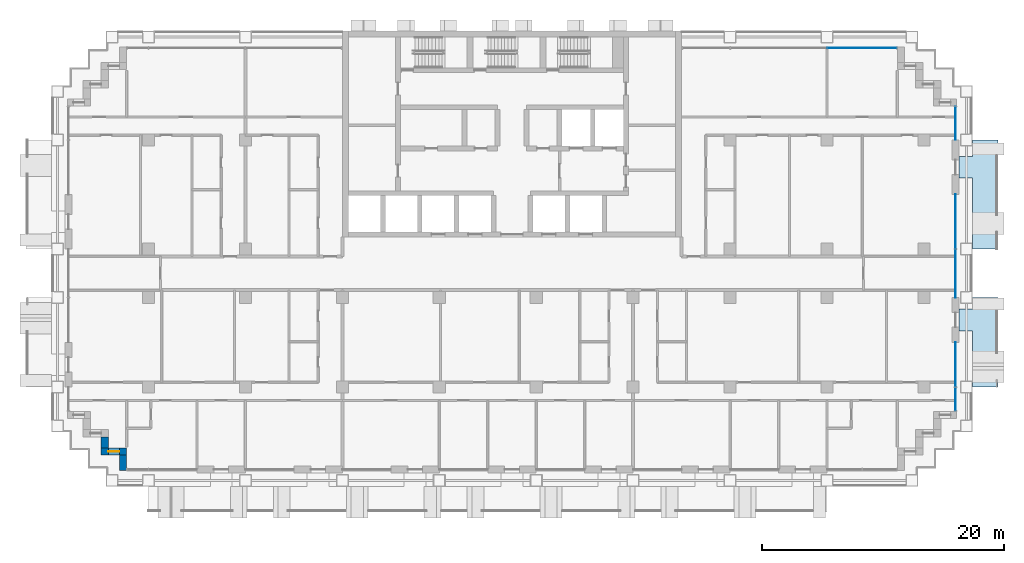
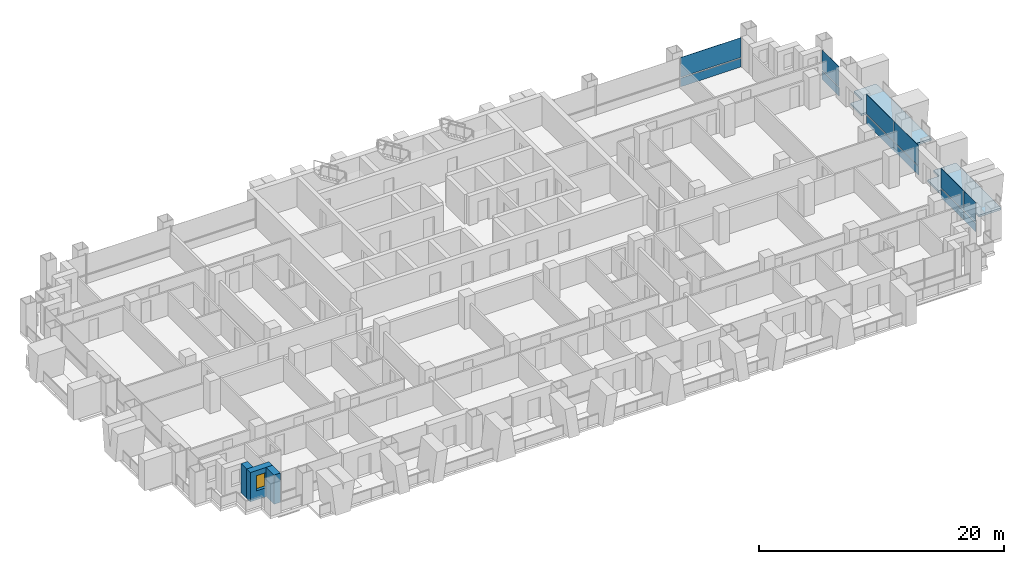
# One storey, part 8 of 18: 12 plates, 3 walls, 2 slabs, 1 window, 1 opening, 4 elements without a shape of their own.
"""IFC4 building model written with IfcOpenShell, lengths in metres."""

from ifc_helpers import new_model, si_unit, direction, frame, frame_2d, origin, origin_2d, place, context, subcontext, project, spatial, polyline, rectangle, outline, extrude, material, layer, layer_set, type_object, element, fill, aggregate, save


model = new_model("IFC4")

# Units and contexts
model_context = context("Model", 3, precision=1e-05, world=origin(), true_north=direction((0.0, 1.0)))
body_context = subcontext(model_context, "Body", "Model", "MODEL_VIEW")
ifc_project = project(units=[si_unit("LENGTHUNIT", "METRE"), si_unit("AREAUNIT", "SQUARE_METRE"), si_unit("VOLUMEUNIT", "CUBIC_METRE"), si_unit("PLANEANGLEUNIT", "RADIAN"), si_unit("MASSUNIT", "GRAM", prefix="KILO")], contexts=[model_context])

# Site, building, storey
site_placement = place(None, origin())
site = spatial("IfcSite", under=ifc_project, at=site_placement, CompositionType="ELEMENT")
building_placement = place(site_placement, origin())
building = spatial("IfcBuilding", under=site, at=building_placement, Name="Vidyagriha Tower", CompositionType="ELEMENT")
storey_placement = place(building_placement, frame((0.0, 0.0, 54.39990234375)))
storey = spatial("IfcBuildingStorey", under=building, at=storey_placement, Name="L14", CompositionType="ELEMENT", Elevation=54.39990234375)

# Curtain wall, plate
ifc_material_1 = material(Name="Aluminium and glass curtain wall", Category="aluminium")
curtain_wall_type = type_object("IfcCurtainWallType", Name="Dwelling skin unitised curtain wall", PredefinedType="USERDEFINED", material=ifc_material_1)
curtain_wall_1_placement = place(storey_placement, origin())
curtain_wall_1 = element("IfcCurtainWall", 1, at=curtain_wall_1_placement, inside=storey, type_object=curtain_wall_type, Name="CW1 dwelling skin", ObjectType="UNITISED", PredefinedType="USERDEFINED")
ifc_material_2 = material(Name="Glass dark ceramic-fritted spandrel", Category="glass")
ifc_layer_1 = layer(ifc_material_2, 0.0400390625)
ifc_layer_set_1 = layer_set([ifc_layer_1], Name="Glass dark ceramic-fritted spandrel")
plate_type_1 = type_object("IfcPlateType", Name="Ceramic-fritted spandrel panel", PredefinedType="CURTAIN_PANEL", material=ifc_layer_set_1)
plate_1_placement = place(storey_placement, frame((28.882568359375, 18.60009765625, 0.0), z_axis=(0.0, 0.0, 1.0), x_axis=(-1.0, 0.0, 0.0)))
plate_1 = element("IfcPlate", 2, at=plate_1_placement, type_object=plate_type_1, Name="CW1 panel 1.1", PredefinedType="CURTAIN_PANEL", context=body_context, shape_type="SweptSolid", body=[
    extrude(rectangle(XDim=5.695068359375, YDim=0.0400390625, at=origin_2d()), origin(), (0.0, 0.0, 1.0), 0.85009765625),
])

# Curtain wall, plates
curtain_wall_2_placement = place(storey_placement, origin())
curtain_wall_2 = element("IfcCurtainWall", 3, at=curtain_wall_2_placement, inside=storey, type_object=curtain_wall_type, Name="CW1 dwelling skin", ObjectType="UNITISED", PredefinedType="USERDEFINED")
plate_2_placement = place(storey_placement, frame((36.60009765625, -10.382568359375, 0.0), z_axis=(0.0, 0.0, 1.0), x_axis=(0.0, 1.0, 0.0)))
plate_2 = element("IfcPlate", 4, at=plate_2_placement, type_object=plate_type_1, Name="CW1 panel 1.1", PredefinedType="CURTAIN_PANEL", context=body_context, shape_type="SweptSolid", body=[
    extrude(rectangle(XDim=1.89501953125, YDim=0.0400390625, at=origin_2d()), origin(), (0.0, 0.0, 1.0), 0.85009765625),
])
plate_3_placement = place(storey_placement, frame((36.60009765625, -7.532470703125, 0.0), z_axis=(0.0, 0.0, 1.0), x_axis=(0.0, 1.0, 0.0)))
plate_3 = element("IfcPlate", 5, at=plate_3_placement, type_object=plate_type_1, Name="CW1 panel 2.1", PredefinedType="CURTAIN_PANEL", context=body_context, shape_type="SweptSolid", body=[
    extrude(rectangle(XDim=3.6650390625, YDim=0.0400390625, at=origin_2d()), origin(), (0.0, 0.0, 1.0), 0.85009765625),
])

# Curtain wall, plate
curtain_wall_3_placement = place(storey_placement, origin())
curtain_wall_3 = element("IfcCurtainWall", 6, at=curtain_wall_3_placement, inside=storey, type_object=curtain_wall_type, Name="CW1 dwelling skin", ObjectType="UNITISED", PredefinedType="USERDEFINED")
plate_4_placement = place(storey_placement, frame((36.60009765625, 12.364990234375, 0.0), z_axis=(0.0, 0.0, 1.0), x_axis=(0.0, 1.0, 0.0)))
plate_4 = element("IfcPlate", 7, at=plate_4_placement, type_object=plate_type_1, Name="CW1 panel 1.1", PredefinedType="CURTAIN_PANEL", context=body_context, shape_type="SweptSolid", body=[
    extrude(rectangle(XDim=2.72998046875, YDim=0.0400390625, at=origin_2d()), origin(), (0.0, 0.0, 1.0), 0.85009765625),
])

# Plate
ifc_material_3 = material(Name="Glass dark ceramic-fritted", Category="glass")
ifc_layer_2 = layer(ifc_material_3, 0.028076171875)
ifc_layer_set_2 = layer_set([ifc_layer_2], Name="Glass dark ceramic-fritted")
plate_type_2 = type_object("IfcPlateType", Name="Dark ceramic-fritted vision glass panel", PredefinedType="CURTAIN_PANEL", material=ifc_layer_set_2)
plate_5_placement = place(storey_placement, frame((28.882568359375, 18.60009765625, 0.9501953125), z_axis=(0.0, 0.0, 1.0), x_axis=(-1.0, 0.0, 0.0)))
plate_5 = element("IfcPlate", 8, at=plate_5_placement, type_object=plate_type_2, Name="CW1 panel 1.2", PredefinedType="CURTAIN_PANEL", context=body_context, shape_type="SweptSolid", body=[
    extrude(rectangle(XDim=5.695068359375, YDim=0.028076171875, at=origin_2d()), origin(), (0.0, 0.0, 1.0), 1.969970703125),
])

aggregate(curtain_wall_1, [plate_1, plate_5])

plate_6_placement = place(storey_placement, frame((36.60009765625, -10.382568359375, 0.9501953125), z_axis=(0.0, 0.0, 1.0), x_axis=(0.0, 1.0, 0.0)))
plate_6 = element("IfcPlate", 9, at=plate_6_placement, type_object=plate_type_2, Name="CW1 panel 1.2", PredefinedType="CURTAIN_PANEL", context=body_context, shape_type="SweptSolid", body=[
    extrude(rectangle(XDim=1.89501953125, YDim=0.028076171875, at=origin_2d()), origin(), (0.0, 0.0, 1.0), 1.969970703125),
])

plate_7_placement = place(storey_placement, frame((36.60009765625, -7.532470703125, 0.9501953125), z_axis=(0.0, 0.0, 1.0), x_axis=(0.0, 1.0, 0.0)))
plate_7 = element("IfcPlate", 10, at=plate_7_placement, type_object=plate_type_2, Name="CW1 panel 2.2", PredefinedType="CURTAIN_PANEL", context=body_context, shape_type="SweptSolid", body=[
    extrude(rectangle(XDim=3.6650390625, YDim=0.028076171875, at=origin_2d()), origin(), (0.0, 0.0, 1.0), 1.969970703125),
])

aggregate(curtain_wall_2, [plate_2, plate_6, plate_3, plate_7])

# Curtain wall, plates
curtain_wall_4_placement = place(storey_placement, origin())
curtain_wall_4 = element("IfcCurtainWall", 11, at=curtain_wall_4_placement, inside=storey, type_object=curtain_wall_type, Name="CW1 dwelling skin", ObjectType="UNITISED", PredefinedType="USERDEFINED")
plate_8_placement = place(storey_placement, frame((36.60009765625, -0.017578125, 0.9501953125), z_axis=(0.0, 0.0, 1.0), x_axis=(0.0, 1.0, 0.0)))
plate_8 = element("IfcPlate", 12, at=plate_8_placement, type_object=plate_type_2, Name="CW1 panel 1.2", PredefinedType="CURTAIN_PANEL", context=body_context, shape_type="SweptSolid", body=[
    extrude(rectangle(XDim=3.965087890625, YDim=0.028076171875, at=origin_2d()), origin(), (0.0, 0.0, 1.0), 1.969970703125),
])
plate_9_placement = place(storey_placement, frame((36.60009765625, 4.267578125, 0.9501953125), z_axis=(0.0, 0.0, 1.0), x_axis=(0.0, 1.0, 0.0)))
plate_9 = element("IfcPlate", 13, at=plate_9_placement, type_object=plate_type_2, Name="CW1 panel 2.2", PredefinedType="CURTAIN_PANEL", context=body_context, shape_type="SweptSolid", body=[
    extrude(rectangle(XDim=4.465087890625, YDim=0.028076171875, at=origin_2d()), origin(), (0.0, 0.0, 1.0), 1.969970703125),
])

# Plate
plate_10_placement = place(storey_placement, frame((36.60009765625, 12.364990234375, 0.9501953125), z_axis=(0.0, 0.0, 1.0), x_axis=(0.0, 1.0, 0.0)))
plate_10 = element("IfcPlate", 14, at=plate_10_placement, type_object=plate_type_2, Name="CW1 panel 1.2", PredefinedType="CURTAIN_PANEL", context=body_context, shape_type="SweptSolid", body=[
    extrude(rectangle(XDim=2.72998046875, YDim=0.028076171875, at=origin_2d()), origin(), (0.0, 0.0, 1.0), 1.969970703125),
])

aggregate(curtain_wall_3, [plate_4, plate_10])

ifc_material_4 = material(Name="Aluminium black anodised", Category="aluminium")
ifc_layer_3 = layer(ifc_material_4, 0.06005859375)
ifc_layer_set_3 = layer_set([ifc_layer_3], Name="Aluminium black anodised")
plate_type_3 = type_object("IfcPlateType", Name="Operable black-metal vent panel", PredefinedType="CURTAIN_PANEL", material=ifc_layer_set_3)
plate_11_placement = place(storey_placement, frame((36.60009765625, -0.017578125, 0.0), z_axis=(0.0, 0.0, 1.0), x_axis=(0.0, 1.0, 0.0)))
plate_11 = element("IfcPlate", 15, at=plate_11_placement, type_object=plate_type_3, Name="CW1 panel 1.1", PredefinedType="CURTAIN_PANEL", context=body_context, shape_type="SweptSolid", body=[
    extrude(rectangle(XDim=3.965087890625, YDim=0.06005859375, at=origin_2d()), origin(), (0.0, 0.0, 1.0), 0.85009765625),
])

plate_12_placement = place(storey_placement, frame((36.60009765625, 4.267578125, 0.0), z_axis=(0.0, 0.0, 1.0), x_axis=(0.0, 1.0, 0.0)))
plate_12 = element("IfcPlate", 16, at=plate_12_placement, type_object=plate_type_3, Name="CW1 panel 2.1", PredefinedType="CURTAIN_PANEL", context=body_context, shape_type="SweptSolid", body=[
    extrude(rectangle(XDim=4.465087890625, YDim=0.06005859375, at=origin_2d()), origin(), (0.0, 0.0, 1.0), 0.85009765625),
])

aggregate(curtain_wall_4, [plate_11, plate_8, plate_12, plate_9])

# Slabs
ifc_material_5 = material(Name="Precast concrete C40/50", Category="concrete")
ifc_layer_4 = layer(ifc_material_5, 0.199951171875)
ifc_layer_set_4 = layer_set([ifc_layer_4], Name="Precast concrete C40/50")
slab_type = type_object("IfcSlabType", Name="Precast balcony slab 200", PredefinedType="USERDEFINED", material=ifc_layer_set_4)
slab_1_placement = place(storey_placement, frame((0.0, 0.0, -0.199951171875)))
element("IfcSlab", 17, at=slab_1_placement, inside=storey, type_object=slab_type, Name="Balcony slab L14 R30.1-1", ObjectType="BALCONY", PredefinedType="USERDEFINED", context=body_context, shape_type="SweptSolid", body=[
    extrude(outline(polyline([(38.0, -4.75), (38.0, -9.39990234375), (40.10009765625, -9.39990234375), (40.10009765625, -2.0), (38.0, -2.0), (38.0, -2.949951171875), (36.89990234375, -2.949951171875), (36.89990234375, -4.75), (38.0, -4.75)])), origin(), (0.0, 0.0, 1.0), 0.199951171875),
])
slab_2_placement = place(storey_placement, frame((0.0, 0.0, -0.199951171875)))
element("IfcSlab", 18, at=slab_2_placement, inside=storey, type_object=slab_type, Name="Balcony slab L14 R30.2-2", ObjectType="BALCONY", PredefinedType="USERDEFINED", context=body_context, shape_type="SweptSolid", body=[
    extrude(outline(polyline([(38.0, 7.85009765625), (38.0, 2.0), (40.10009765625, 2.0), (40.10009765625, 11.0), (38.0, 11.0), (38.0, 9.64990234375), (36.89990234375, 9.64990234375), (36.89990234375, 7.85009765625), (38.0, 7.85009765625)])), origin(), (0.0, 0.0, 1.0), 0.199951171875),
])

# Wall
ifc_material_6 = material(Name="Precast concrete C40/50 with brick facing", Category="concrete")
ifc_layer_5 = layer(ifc_material_6, 0.60009765625)
ifc_layer_set_5 = layer_set([ifc_layer_5], Name="Precast concrete C40/50 with brick facing")
wall_type = type_object("IfcWallType", Name="Brick-faced precast wall 600", PredefinedType="STANDARD", material=ifc_layer_set_5)
wall_1_placement = place(storey_placement, frame((-33.60009765625, -13.5, 0.0), z_axis=(0.0, 0.0, 1.0), x_axis=(0.0, -1.0, 0.0)))
element("IfcWall", 19, at=wall_1_placement, inside=storey, type_object=wall_type, Name="Stepped corner wall L14 R20", PredefinedType="STANDARD", context=body_context, shape_type="SweptSolid", body=[
    extrude(rectangle(XDim=0.89990234375, YDim=0.60009765625, at=frame_2d((0.449951171875, 0.0))), origin(), (0.0, 0.0, 1.0), 2.920166015625),
])

# Wall, opening, window
wall_2_placement = place(storey_placement, frame((-33.89990234375, -14.699951171875, 0.0)))
wall_2 = element("IfcWall", 20, at=wall_2_placement, inside=storey, type_object=wall_type, Name="Stepped corner wall L14 R21", PredefinedType="STANDARD", context=body_context, shape_type="SweptSolid", body=[
    extrude(rectangle(XDim=2.099853515625, YDim=0.60009765625, at=frame_2d((1.0498046875, 0.0))), origin(), (0.0, 0.0, 1.0), 2.920166015625),
])
opening_placement = place(wall_2_placement, frame((0.60009765625, 0.0, 0.89990234375)))
opening = element("IfcOpeningElement", 21, at=opening_placement, cuts=wall_2, Name="Opening WN1", PredefinedType="OPENING", context=body_context, shape_type="SweptSolid", body=[
    extrude(rectangle(XDim=0.89990234375, YDim=1.5, at=frame_2d((0.449951171875, 0.75))), frame((0.0, 0.31005859375, 0.0), z_axis=(0.0, -1.0, 0.0), x_axis=(1.0, 0.0, 0.0)), (0.0, 0.0, 1.0), 0.6201171875),
])
ifc_material_7 = material(Name="Aluminium and glass window", Category="aluminium")
window_type = type_object("IfcWindowType", Name="Reveal window 900x1500", PartitioningType="NOTDEFINED", PredefinedType="WINDOW", material=ifc_material_7)
window_placement = place(opening_placement, origin())
window = element("IfcWindow", 22, at=window_placement, inside=storey, type_object=window_type, Name="Reveal window L14 R21", OverallHeight=1.5, OverallWidth=0.89990234375, PartitioningType="SINGLE_PANEL", PredefinedType="WINDOW", context=body_context, shape_type="SweptSolid", body=[
    extrude(rectangle(XDim=0.89990234375, YDim=1.5, at=frame_2d((0.449951171875, 0.75))), frame((0.0, 0.030029296875, 0.0), z_axis=(0.0, -1.0, 0.0), x_axis=(1.0, 0.0, 0.0)), (0.0, 0.0, 1.0), 0.06005859375),
])
fill(opening, window)

# Wall
wall_3_placement = place(storey_placement, frame((-32.10009765625, -15.0, 0.0), z_axis=(0.0, 0.0, 1.0), x_axis=(0.0, -1.0, 0.0)))
element("IfcWall", 23, at=wall_3_placement, inside=storey, type_object=wall_type, Name="Stepped corner wall L14 R22", PredefinedType="STANDARD", context=body_context, shape_type="SweptSolid", body=[
    extrude(rectangle(XDim=1.280029296875, YDim=0.60009765625, at=frame_2d((0.64013671875, 0.0))), origin(), (0.0, 0.0, 1.0), 2.920166015625),
])

save(model, "model.ifc")
